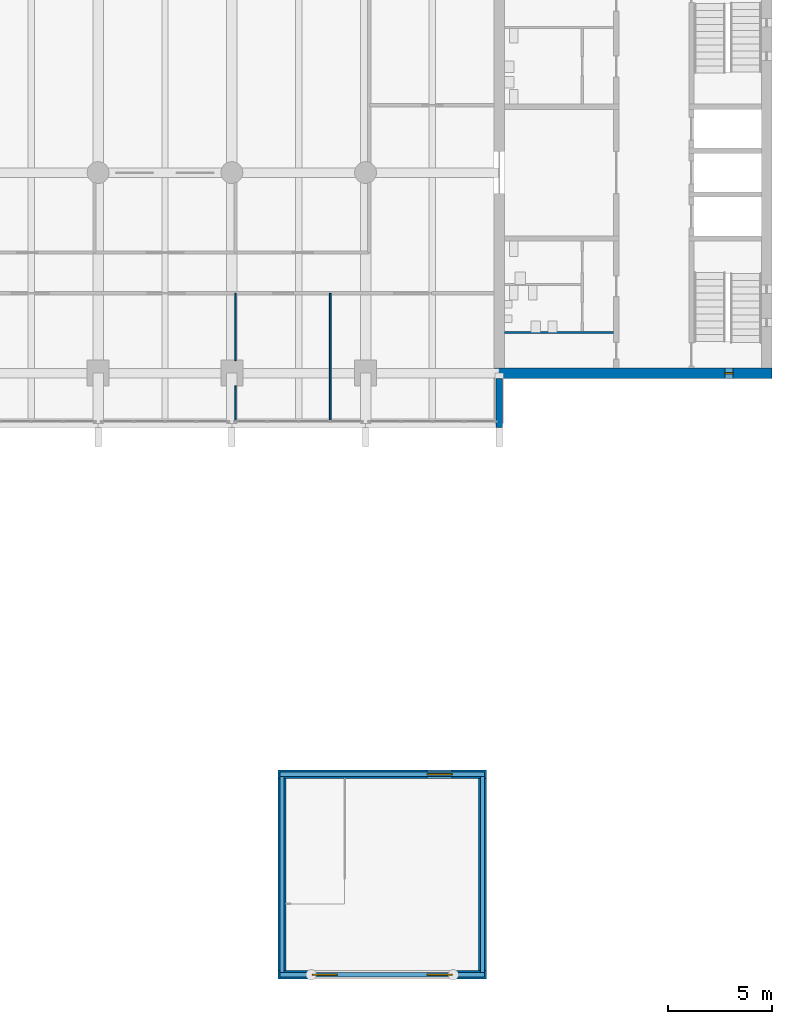
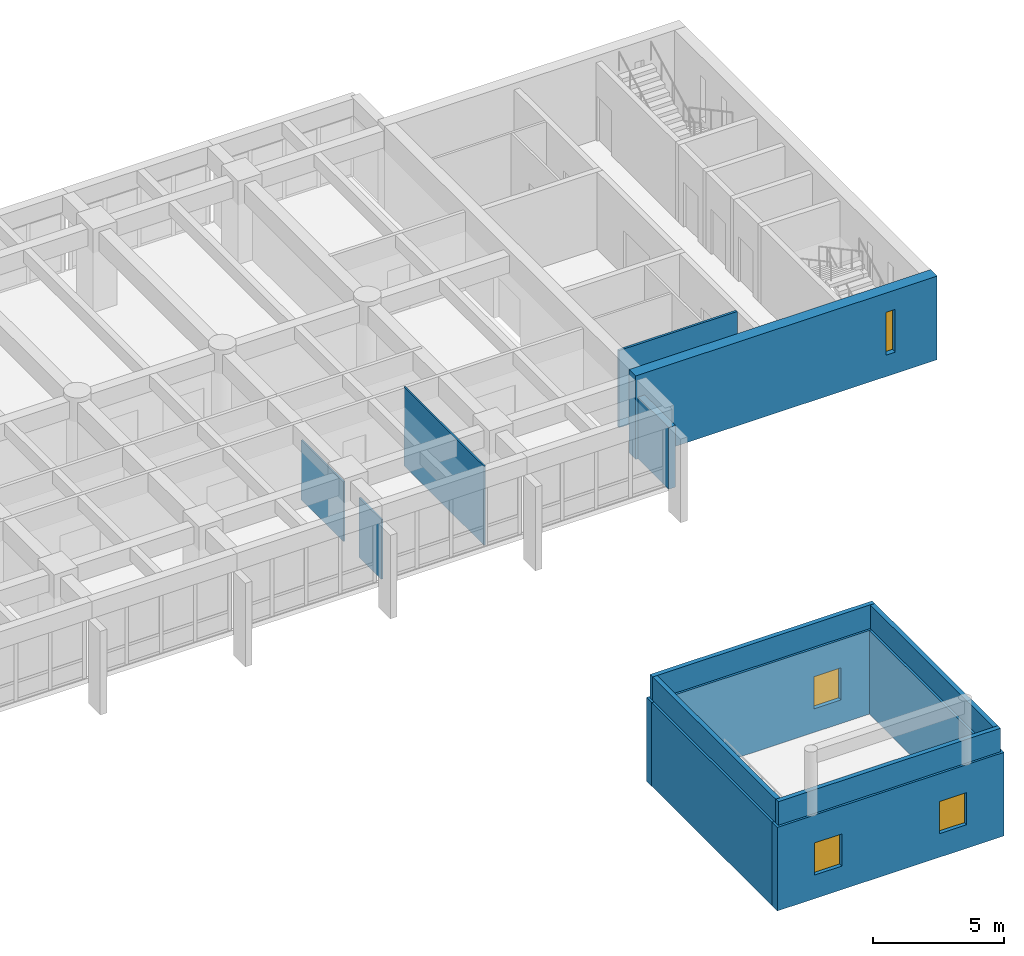
# One storey, part 11 of 19: 14 walls, 4 windows, 4 openings.
"""IFC4 building model written with IfcOpenShell, lengths in metres."""

from ifc_helpers import new_model, si_unit, direction, frame, frame_2d, origin, place, context, subcontext, project, spatial, rectangle, extrude, material, layer, layer_set, type_object, element, fill, save


model = new_model("IFC4")

# Units and contexts
model_context = context("Model", 3, precision=1e-05, world=origin(), true_north=direction((0.0, 1.0)))
body_context = subcontext(model_context, "Body", "Model", "MODEL_VIEW")
ifc_project = project(units=[si_unit("LENGTHUNIT", "METRE"), si_unit("AREAUNIT", "SQUARE_METRE"), si_unit("VOLUMEUNIT", "CUBIC_METRE"), si_unit("PLANEANGLEUNIT", "RADIAN"), si_unit("MASSUNIT", "GRAM", prefix="KILO")], contexts=[model_context])

# Site, building, storey
site_placement = place(None, origin())
site = spatial("IfcSite", under=ifc_project, at=site_placement, CompositionType="ELEMENT")
building_placement = place(site_placement, origin())
building = spatial("IfcBuilding", under=site, at=building_placement, Name="Fogon Plaza Fire Station and Headquarters Tower", CompositionType="ELEMENT")
storey_placement = place(building_placement, frame((0.0, 0.0, 24.89990234375)))
storey = spatial("IfcBuildingStorey", under=building, at=storey_placement, Name="L06", CompositionType="ELEMENT", Elevation=24.89990234375)

# Walls
ifc_material_1 = material(Name="Concrete C40", Category="concrete")
ifc_layer_1 = layer(ifc_material_1, 0.199951171875)
ifc_layer_set_1 = layer_set([ifc_layer_1], Name="Concrete C40")
wall_type_1 = type_object("IfcWallType", Name="Fair-faced RC Parapet 200", PredefinedType="PARAPET", material=ifc_layer_set_1)
for number, where, z_axis, x_axis, name in (
    (1, (53.5, 14.39990234375, 3.900146484375), (0.0, 0.0, 1.0), (1.0, 0.0, 0.0), "Parapet N"),
    (2, (53.5, 4.800048828125, 3.900146484375), (0.0, 0.0, 1.0), (1.0, 0.0, 0.0), "Parapet S"),
):
    element("IfcWall", number, at=place(storey_placement, frame(where, z_axis=z_axis, x_axis=x_axis)), inside=storey, type_object=wall_type_1, Name=name, PredefinedType="PARAPET", context=body_context, shape_type="SweptSolid", body=[
        extrude(rectangle(XDim=9.800048828125, YDim=0.199951171875, at=frame_2d((4.89990234375, 0.0))), origin(), (0.0, 0.0, 1.0), 1.099853515625),
    ])
for number, where, z_axis, x_axis, name in (
    (3, (63.199951171875, 4.89990234375, 3.900146484375), (0.0, 0.0, 1.0), (0.0, 1.0, 0.0), "Parapet E"),
    (4, (53.60009765625, 4.89990234375, 3.900146484375), (0.0, 0.0, 1.0), (0.0, 1.0, 0.0), "Parapet W"),
):
    element("IfcWall", number, at=place(storey_placement, frame(where, z_axis=z_axis, x_axis=x_axis)), inside=storey, type_object=wall_type_1, Name=name, PredefinedType="PARAPET", context=body_context, shape_type="SweptSolid", body=[
        extrude(rectangle(XDim=9.400146484375, YDim=0.199951171875, at=frame_2d((4.7001953125, 0.0))), origin(), (0.0, 0.0, 1.0), 1.099853515625),
    ])
ifc_material_2 = material(Name="Concrete C40", Category="concrete")
ifc_layer_2 = layer(ifc_material_2, 0.300048828125)
ifc_layer_set_2 = layer_set([ifc_layer_2], Name="Concrete C40")
wall_type_2 = type_object("IfcWallType", Name="Fair-faced RC Return Panel 300", PredefinedType="SOLIDWALL", material=ifc_layer_set_2)
wall_1_placement = place(storey_placement, frame((64.0, 31.0, 0.0), z_axis=(0.0, 0.0, 1.0), x_axis=(0.0, 1.0, 0.0)))
element("IfcWall", 5, at=wall_1_placement, inside=storey, type_object=wall_type_2, Name="Bar end return ES L06", PredefinedType="SOLIDWALL", context=body_context, shape_type="SweptSolid", body=[
    extrude(rectangle(XDim=2.35009765625, YDim=0.300048828125, at=frame_2d((1.175048828125, 0.0))), origin(), (0.0, 0.0, 1.0), 2.880126953125),
])
ifc_material_3 = material(Name="Blockwork", Category="masonry")
ifc_layer_3 = layer(ifc_material_3, 0.10009765625)
ifc_layer_set_3 = layer_set([ifc_layer_3], Name="Blockwork")
wall_type_3 = type_object("IfcWallType", Name="Partition Blockwork 100", PredefinedType="PARTITIONING", material=ifc_layer_set_3)
wall_2_placement = place(storey_placement, frame((69.47509765625, 35.550048828125, 0.0), z_axis=(0.0, 0.0, 1.0), x_axis=(-1.0, 0.0, 0.0)))
element("IfcWall", 6, at=wall_2_placement, inside=storey, type_object=wall_type_3, Name="Cleaner's store partition", PredefinedType="PARTITIONING", context=body_context, shape_type="SweptSolid", body=[
    extrude(rectangle(XDim=5.22509765625, YDim=0.10009765625, at=frame_2d((2.612548828125, 0.0))), origin(), (0.0, 0.0, 1.0), 3.60009765625),
])

# Wall, opening, window
ifc_material_4 = material(Name="Concrete C40", Category="concrete")
ifc_layer_4 = layer(ifc_material_4, 0.39990234375)
ifc_layer_set_4 = layer_set([ifc_layer_4], Name="Concrete C40")
wall_type_4 = type_object("IfcWallType", Name="Shear wall 400 DW40", PredefinedType="SHEAR", material=ifc_layer_set_4)
wall_3_placement = place(storey_placement, frame((53.39990234375, 14.39990234375, 0.0), z_axis=(0.0, 0.0, 1.0), x_axis=(1.0, 0.0, 0.0)))
wall_3 = element("IfcWall", 7, at=wall_3_placement, inside=storey, type_object=wall_type_4, Name="wall-drill-N-L06", PredefinedType="SHEAR", context=body_context, shape_type="SweptSolid", body=[
    extrude(rectangle(XDim=10.0, YDim=0.39990234375, at=frame_2d((5.0, 0.0))), origin(), (0.0, 0.0, 1.0), 3.900146484375),
])
opening_1_placement = place(wall_3_placement, frame((7.14990234375, 0.0, 1.10009765625)))
opening_1 = element("IfcOpeningElement", 8, at=opening_1_placement, cuts=wall_3, Name="Opening WT1", PredefinedType="OPENING", context=body_context, shape_type="SweptSolid", body=[
    extrude(rectangle(XDim=1.199951171875, YDim=1.5, at=frame_2d((0.60009765625, 0.75))), frame((0.0, 0.2099609375, 0.0), z_axis=(0.0, -1.0, 0.0), x_axis=(1.0, 0.0, 0.0)), (0.0, 0.0, 1.0), 0.419921875),
])
ifc_material_5 = material(Name="Galvanised steel framed glazing with grille", Category="steel")
window_type_1 = type_object("IfcWindowType", Name="Training Opening WT1 1200x1500", PartitioningType="SINGLE_PANEL", PredefinedType="WINDOW", material=ifc_material_5)
window_1_placement = place(opening_1_placement, origin())
window_1 = element("IfcWindow", 9, at=window_1_placement, inside=storey, type_object=window_type_1, Name="Training opening N L06", OverallHeight=1.5, OverallWidth=1.199951171875, PartitioningType="SINGLE_PANEL", PredefinedType="WINDOW", context=body_context, shape_type="SweptSolid", body=[
    extrude(rectangle(XDim=1.199951171875, YDim=1.5, at=frame_2d((0.60009765625, 0.75))), frame((0.0, 0.030029296875, 0.0), z_axis=(0.0, -1.0, 0.0), x_axis=(1.0, 0.0, 0.0)), (0.0, 0.0, 1.0), 0.06005859375),
])
fill(opening_1, window_1)

# Wall, openings, windows
wall_4_placement = place(storey_placement, frame((53.39990234375, 4.800048828125, 0.0), z_axis=(0.0, 0.0, 1.0), x_axis=(1.0, 0.0, 0.0)))
wall_4 = element("IfcWall", 10, at=wall_4_placement, inside=storey, type_object=wall_type_4, Name="wall-drill-S-L06", PredefinedType="SHEAR", context=body_context, shape_type="SweptSolid", body=[
    extrude(rectangle(XDim=10.0, YDim=0.39990234375, at=frame_2d((5.0, 0.0))), origin(), (0.0, 0.0, 1.0), 3.900146484375),
])
opening_2_placement = place(wall_4_placement, frame((1.64990234375, 0.0, 1.10009765625)))
opening_2 = element("IfcOpeningElement", 11, at=opening_2_placement, cuts=wall_4, Name="Opening WT1", PredefinedType="OPENING", context=body_context, shape_type="SweptSolid", body=[
    extrude(rectangle(XDim=1.199951171875, YDim=1.5, at=frame_2d((0.60009765625, 0.75))), frame((0.0, 0.2099609375, 0.0), z_axis=(0.0, -1.0, 0.0), x_axis=(1.0, 0.0, 0.0)), (0.0, 0.0, 1.0), 0.419921875),
])
opening_3_placement = place(wall_4_placement, frame((7.14990234375, 0.0, 1.10009765625)))
opening_3 = element("IfcOpeningElement", 12, at=opening_3_placement, cuts=wall_4, Name="Opening WT1", PredefinedType="OPENING", context=body_context, shape_type="SweptSolid", body=[
    extrude(rectangle(XDim=1.199951171875, YDim=1.5, at=frame_2d((0.60009765625, 0.75))), frame((0.0, 0.2099609375, 0.0), z_axis=(0.0, -1.0, 0.0), x_axis=(1.0, 0.0, 0.0)), (0.0, 0.0, 1.0), 0.419921875),
])
window_2_placement = place(opening_2_placement, origin())
window_2 = element("IfcWindow", 13, at=window_2_placement, inside=storey, type_object=window_type_1, Name="Training opening S L06", OverallHeight=1.5, OverallWidth=1.199951171875, PartitioningType="SINGLE_PANEL", PredefinedType="WINDOW", context=body_context, shape_type="SweptSolid", body=[
    extrude(rectangle(XDim=1.199951171875, YDim=1.5, at=frame_2d((0.60009765625, 0.75))), frame((0.0, 0.030029296875, 0.0), z_axis=(0.0, -1.0, 0.0), x_axis=(1.0, 0.0, 0.0)), (0.0, 0.0, 1.0), 0.06005859375),
])
fill(opening_2, window_2)
window_3_placement = place(opening_3_placement, origin())
window_3 = element("IfcWindow", 14, at=window_3_placement, inside=storey, type_object=window_type_1, Name="Training opening S L06", OverallHeight=1.5, OverallWidth=1.199951171875, PartitioningType="SINGLE_PANEL", PredefinedType="WINDOW", context=body_context, shape_type="SweptSolid", body=[
    extrude(rectangle(XDim=1.199951171875, YDim=1.5, at=frame_2d((0.60009765625, 0.75))), frame((0.0, 0.030029296875, 0.0), z_axis=(0.0, -1.0, 0.0), x_axis=(1.0, 0.0, 0.0)), (0.0, 0.0, 1.0), 0.06005859375),
])
fill(opening_3, window_3)

# Walls
for number, where, z_axis, x_axis, name in (
    (15, (63.199951171875, 5.0, 0.0), (0.0, 0.0, 1.0), (0.0, 1.0, 0.0), "wall-drill-E-L06"),
    (16, (53.60009765625, 5.0, 0.0), (0.0, 0.0, 1.0), (0.0, 1.0, 0.0), "wall-drill-W-L06"),
):
    element("IfcWall", number, at=place(storey_placement, frame(where, z_axis=z_axis, x_axis=x_axis)), inside=storey, type_object=wall_type_4, Name=name, PredefinedType="SHEAR", context=body_context, shape_type="SweptSolid", body=[
        extrude(rectangle(XDim=9.199951171875, YDim=0.39990234375, at=frame_2d((4.60009765625, 0.0))), origin(), (0.0, 0.0, 1.0), 3.900146484375),
    ])

# Wall, opening, window
ifc_material_6 = material(Name="Concrete C40", Category="concrete")
ifc_layer_5 = layer(ifc_material_6, 0.5)
ifc_layer_set_5 = layer_set([ifc_layer_5], Name="Concrete C40")
wall_type_5 = type_object("IfcWallType", Name="Shear wall 500 SW50", PredefinedType="SHEAR", material=ifc_layer_set_5)
wall_5_placement = place(storey_placement, frame((63.75, 33.60009765625, 0.0), z_axis=(0.0, 0.0, 1.0), x_axis=(1.0, 0.0, 0.0)))
wall_5 = element("IfcWall", 17, at=wall_5_placement, inside=storey, type_object=wall_type_5, Name="wall-coreB-S-L06", PredefinedType="SHEAR", context=body_context, shape_type="SweptSolid", body=[
    extrude(rectangle(XDim=13.300048828125, YDim=0.5, at=frame_2d((6.64990234375, 0.0))), origin(), (0.0, 0.0, 1.0), 3.900146484375),
])
opening_4_placement = place(wall_5_placement, frame((11.050048828125, 0.0, 1.0)))
opening_4 = element("IfcOpeningElement", 18, at=opening_4_placement, cuts=wall_5, Name="Opening WS1", PredefinedType="OPENING", context=body_context, shape_type="SweptSolid", body=[
    extrude(rectangle(XDim=0.39990234375, YDim=2.0, at=frame_2d((0.199951171875, 1.0))), frame((0.0, 0.260009765625, 0.0), z_axis=(0.0, -1.0, 0.0), x_axis=(1.0, 0.0, 0.0)), (0.0, 0.0, 1.0), 0.52001953125),
])
ifc_material_7 = material(Name="Aluminium framed double glazing", Category="aluminium")
window_type_2 = type_object("IfcWindowType", Name="Slit Window WS1 400x2000", PartitioningType="SINGLE_PANEL", PredefinedType="WINDOW", material=ifc_material_7)
window_4_placement = place(opening_4_placement, origin())
window_4 = element("IfcWindow", 19, at=window_4_placement, inside=storey, type_object=window_type_2, Name="Slit window B5 L06", OverallHeight=2.0, OverallWidth=0.39990234375, PartitioningType="SINGLE_PANEL", PredefinedType="WINDOW", context=body_context, shape_type="SweptSolid", body=[
    extrude(rectangle(XDim=0.39990234375, YDim=2.0, at=frame_2d((0.199951171875, 1.0))), frame((0.0, 0.030029296875, 0.0), z_axis=(0.0, -1.0, 0.0), x_axis=(1.0, 0.0, 0.0)), (0.0, 0.0, 1.0), 0.06005859375),
])
fill(opening_4, window_4)

# Walls
ifc_material_8 = material(Name="Glazed aluminium partition", Category="aluminium")
ifc_layer_6 = layer(ifc_material_8, 0.074951171875)
ifc_layer_set_6 = layer_set([ifc_layer_6], Name="Glazed aluminium partition")
wall_type_6 = type_object("IfcWallType", Name="Tower glazed partition 75", PredefinedType="PARTITIONING", material=ifc_layer_set_6)
wall_6_placement = place(storey_placement, frame((55.909912109375, 31.300048828125, 0.0), z_axis=(0.0, 0.0, 1.0), x_axis=(0.0, 1.0, 0.0)))
element("IfcWall", 20, at=wall_6_placement, inside=storey, type_object=wall_type_6, Name="part-L06-16", PredefinedType="PARTITIONING", context=body_context, shape_type="SweptSolid", body=[
    extrude(rectangle(XDim=6.125, YDim=0.074951171875, at=frame_2d((3.0625, 0.0))), origin(), (0.0, 0.0, 1.0), 3.68017578125),
])
ifc_material_9 = material(Name="Glazed aluminium partition", Category="aluminium")
ifc_layer_7 = layer(ifc_material_9, 0.074951171875)
ifc_layer_set_7 = layer_set([ifc_layer_7], Name="Glazed aluminium partition")
wall_type_7 = type_object("IfcWallType", Name="Tower glazed partition 75 Beam Head 900", PredefinedType="PARTITIONING", material=ifc_layer_set_7)
wall_7_placement = place(storey_placement, frame((51.3798828125, 31.300048828125, 0.0), z_axis=(0.0, 0.0, 1.0), x_axis=(0.0, 1.0, 0.0)))
element("IfcWall", 21, at=wall_7_placement, inside=storey, type_object=wall_type_7, Name="part-L06-14", PredefinedType="PARTITIONING", context=body_context, shape_type="SweptSolid", body=[
    extrude(rectangle(XDim=1.695068359375, YDim=0.074951171875, at=frame_2d((0.84765625, 0.0))), origin(), (0.0, 0.0, 1.0), 2.780029296875),
])
wall_8_placement = place(storey_placement, frame((51.3798828125, 34.205078125, 0.0), z_axis=(0.0, 0.0, 1.0), x_axis=(0.0, 1.0, 0.0)))
element("IfcWall", 22, at=wall_8_placement, inside=storey, type_object=wall_type_7, Name="part-L06-15", PredefinedType="PARTITIONING", context=body_context, shape_type="SweptSolid", body=[
    extrude(rectangle(XDim=3.219970703125, YDim=0.074951171875, at=frame_2d((1.60986328125, 0.0))), origin(), (0.0, 0.0, 1.0), 2.780029296875),
])

save(model, "model.ifc")
